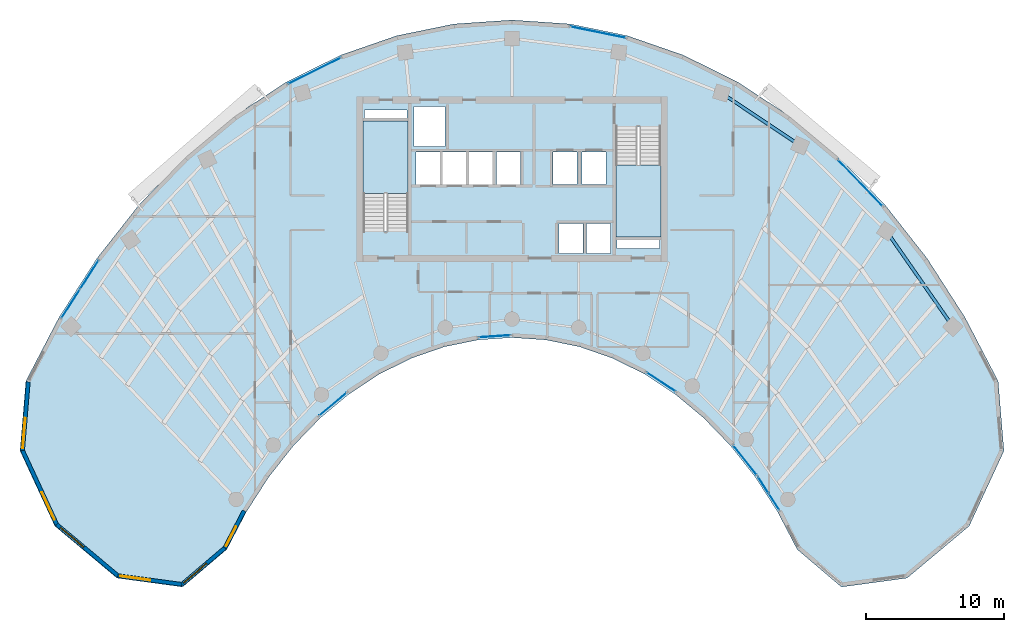
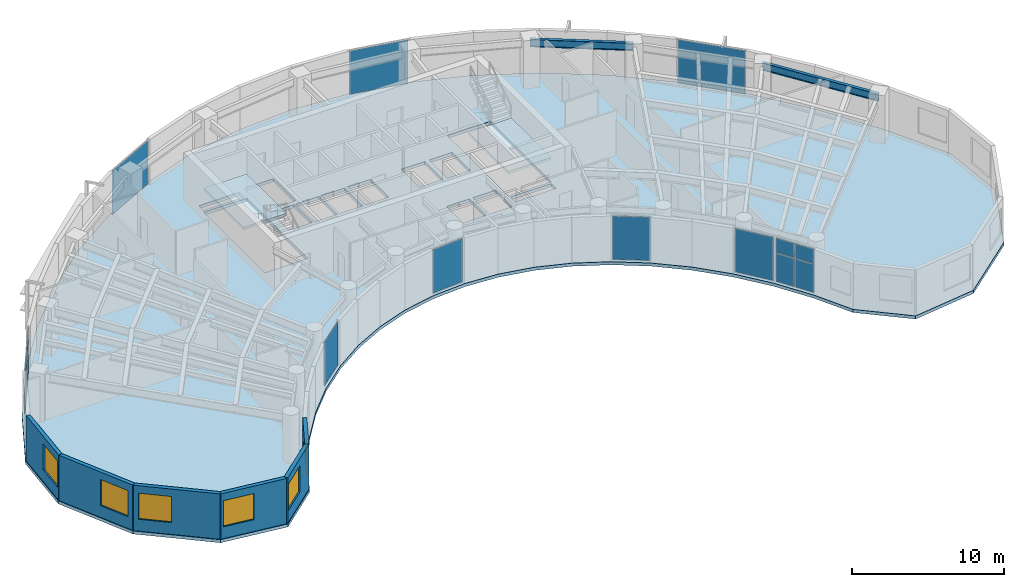
# One storey, part 6 of 12: 15 plates, 6 walls, 6 windows, 3 slabs, 2 beams, 6 openings, 11 elements without a shape of their own.
"""IFC4 building model written with IfcOpenShell, lengths in metres."""

from ifc_helpers import new_model, si_unit, direction, frame, frame_2d, origin, origin_2d, place, context, subcontext, project, spatial, polyline, rectangle, i_section, outline, extrude, source, transform, mapped, material, layer, layer_set, material_profile, profile_set, type_object, type_shapes, element, fill, aggregate, save


model = new_model("IFC4")

# Units and contexts
model_context = context("Model", 3, precision=1e-05, world=origin(), true_north=direction((0.0, 1.0)))
body_context = subcontext(model_context, "Body", "Model", "MODEL_VIEW")
ifc_project = project(units=[si_unit("LENGTHUNIT", "METRE"), si_unit("AREAUNIT", "SQUARE_METRE"), si_unit("VOLUMEUNIT", "CUBIC_METRE"), si_unit("PLANEANGLEUNIT", "RADIAN"), si_unit("MASSUNIT", "GRAM", prefix="KILO")], contexts=[model_context])

# Site, building, storey
site_placement = place(None, origin())
site = spatial("IfcSite", under=ifc_project, at=site_placement, CompositionType="ELEMENT")
building_placement = place(site_placement, origin())
building = spatial("IfcBuilding", under=site, at=building_placement, Name="Breltana Convention Tower", CompositionType="ELEMENT")
storey_placement = place(building_placement, frame((0.0, 0.0, 150.60009765625)))
storey = spatial("IfcBuildingStorey", under=building, at=storey_placement, Name="L36", CompositionType="ELEMENT", Elevation=150.60009765625)

# Beams
ifc_material_1 = material(Name="Steel ASTM A992 Grade 50", Category="steel")
ifc_material_profile = material_profile(ifc_material_1, i_section(OverallWidth=0.22802734375, OverallDepth=0.60791015625, WebThickness=0.01123046875, FlangeThickness=0.017333984375, at=origin_2d()), Name="W24X76")
ifc_profile_set = profile_set([ifc_material_profile], Name="Steel ASTM A992 Grade 50")
beam_type = type_object("IfcBeamType", Name="BM-SP-W24X76", PredefinedType="SPANDREL", material=ifc_profile_set)
shared_shape_1 = source(origin(), body_context, "Body", "SweptSolid", [
    extrude(i_section(OverallWidth=0.22802734375, OverallDepth=0.60791015625, WebThickness=0.01123046875, FlangeThickness=0.017333984375, at=origin_2d()), origin(), (0.0, 0.0, 1.0), 6.856689453125),
])
beam_1_placement = place(storey_placement, frame((63.208984375, 72.4423828125, 3.345947265625), z_axis=(0.83150210718, -0.55552159792, 0.0), x_axis=(0.55552159792, 0.83150210718, 0.0)))
element("IfcBeam", 1, at=beam_1_placement, inside=storey, type_object=beam_type, Name="L36 Outer Spandrel Beam 08", PredefinedType="SPANDREL", context=body_context, shape_type="MappedRepresentation", body=[
    mapped(shared_shape_1, transform((0.0, 0.0, 0.0), scale=1.0)),
])
shared_shape_2 = source(origin(), body_context, "Body", "SweptSolid", [
    extrude(i_section(OverallWidth=0.22802734375, OverallDepth=0.60791015625, WebThickness=0.01123046875, FlangeThickness=0.017333984375, at=origin_2d()), origin(), (0.0, 0.0, 1.0), 8.44970703125),
])
beam_2_placement = place(storey_placement, frame((75.166748046875, 62.43017578125, 3.345947265625), z_axis=(0.5711855381, -0.820820979913, 0.0), x_axis=(0.820820979913, 0.5711855381, 0.0)))
element("IfcBeam", 2, at=beam_2_placement, inside=storey, type_object=beam_type, Name="L36 Outer Spandrel Beam 10", PredefinedType="SPANDREL", context=body_context, shape_type="MappedRepresentation", body=[
    mapped(shared_shape_2, transform((0.0, 0.0, 0.0), scale=1.0)),
])

# Slab
ifc_material_2 = material(Name="Concrete C40/50", Category="concrete")
ifc_layer_1 = layer(ifc_material_2, 0.25, Name="Concrete C40/50")
ifc_layer_set_1 = layer_set([ifc_layer_1], Name="Concrete C40/50")
slab_type_1 = type_object("IfcSlabType", Name="SL-OFF-250", PredefinedType="FLOOR", material=ifc_layer_set_1)
slab_1_placement = place(storey_placement, frame((0.0, 0.0, -0.25)))
element("IfcSlab", 3, at=slab_1_placement, inside=storey, type_object=slab_type_1, Name="L36 Suspended Structural Floor Slab", PredefinedType="FLOOR", context=body_context, shape_type="SweptSolid", body=[
    extrude(outline(polyline([(83.27880859375, 51.539794921875), (80.870361328125, 56.166015625), (78.12548828125, 60.442138671875), (75.072265625, 64.32470703125), (71.74169921875, 67.774169921875), (68.168212890625, 70.7548828125), (64.387939453125, 73.236328125), (60.440185546875, 75.193115234375), (56.36474609375, 76.60546875), (52.203857421875, 77.45849609375), (48.0, 77.743896484375), (43.796142578125, 77.45849609375), (39.63525390625, 76.60546875), (35.559814453125, 75.193115234375), (31.612060546875, 73.236328125), (27.831787109375, 70.7548828125), (24.25830078125, 67.774169921875), (20.927734375, 64.32470703125), (17.87451171875, 60.442138671875), (15.129638671875, 56.166015625), (12.72119140625, 51.539794921875), (12.298095703125, 46.4794921875), (14.822509765625, 41.019287109375), (19.329833984375, 37.2451171875), (24.098876953125, 36.598388671875), (27.3076171875, 39.326171875), (28.72021484375, 42.03955078125), (30.330078125, 44.5478515625), (32.12109375, 46.8251953125), (34.07470703125, 48.848388671875), (36.170654296875, 50.5966796875), (38.3876953125, 52.052001953125), (40.703369140625, 53.19970703125), (43.09375, 54.0283203125), (45.5341796875, 54.528564453125), (48.0, 54.696044921875), (50.4658203125, 54.528564453125), (52.90625, 54.0283203125), (55.296630859375, 53.19970703125), (57.6123046875, 52.052001953125), (59.829345703125, 50.5966796875), (61.92529296875, 48.848388671875), (63.87890625, 46.8251953125), (65.669921875, 44.5478515625), (67.27978515625, 42.03955078125), (68.6923828125, 39.326171875), (71.901123046875, 36.598388671875), (76.670166015625, 37.2451171875), (81.177490234375, 41.019287109375), (83.701904296875, 46.4794921875), (83.27880859375, 51.539794921875)]), holes=[polyline([(37.199951171875, 62.385009765625), (40.469970703125, 62.385009765625), (40.469970703125, 70.39990234375), (37.199951171875, 70.39990234375), (37.199951171875, 62.385009765625)]), polyline([(55.530029296875, 62.0), (58.800048828125, 62.0), (58.800048828125, 70.014892578125), (55.530029296875, 70.014892578125), (55.530029296875, 62.0)]), polyline([(51.39990234375, 60.800048828125), (53.159912109375, 60.800048828125), (53.159912109375, 62.97998046875), (51.39990234375, 62.97998046875), (51.39990234375, 60.800048828125)]), polyline([(53.39990234375, 60.800048828125), (55.159912109375, 60.800048828125), (55.159912109375, 62.97998046875), (53.39990234375, 62.97998046875), (53.39990234375, 60.800048828125)]), polyline([(41.0400390625, 65.820068359375), (42.800048828125, 65.820068359375), (42.800048828125, 68.179931640625), (41.0400390625, 68.179931640625), (41.0400390625, 65.820068359375)]), polyline([(42.93994140625, 65.820068359375), (44.699951171875, 65.820068359375), (44.699951171875, 68.179931640625), (42.93994140625, 68.179931640625), (42.93994140625, 65.820068359375)]), polyline([(44.8701171875, 65.820068359375), (46.6298828125, 65.820068359375), (46.6298828125, 68.179931640625), (44.8701171875, 68.179931640625), (44.8701171875, 65.820068359375)]), polyline([(46.8701171875, 65.820068359375), (48.6298828125, 65.820068359375), (48.6298828125, 68.179931640625), (46.8701171875, 68.179931640625), (46.8701171875, 65.820068359375)]), polyline([(50.969970703125, 65.800048828125), (52.72998046875, 65.800048828125), (52.72998046875, 68.179931640625), (50.969970703125, 68.179931640625), (50.969970703125, 65.800048828125)]), polyline([(53.070068359375, 65.800048828125), (54.830078125, 65.800048828125), (54.830078125, 68.179931640625), (53.070068359375, 68.179931640625), (53.070068359375, 65.800048828125)]), polyline([(40.8798828125, 68.550048828125), (43.1201171875, 68.550048828125), (43.1201171875, 71.449951171875), (40.8798828125, 71.449951171875), (40.8798828125, 68.550048828125)]), polyline([(37.300048828125, 70.60009765625), (40.3798828125, 70.60009765625), (40.3798828125, 71.219970703125), (37.300048828125, 71.219970703125), (37.300048828125, 70.60009765625)]), polyline([(55.6201171875, 61.179931640625), (58.699951171875, 61.179931640625), (58.699951171875, 61.800048828125), (55.6201171875, 61.800048828125), (55.6201171875, 61.179931640625)])]), origin(), (0.0, 0.0, 1.0), 0.25),
])

# Stair, slab
stair_type = type_object("IfcStairType", Name="ST-DOG-1560-R177", PredefinedType="HALF_TURN_STAIR", material=ifc_material_2)
stair_1_placement = place(storey_placement, origin())
stair_1 = element("IfcStair", 4, at=stair_1_placement, inside=storey, type_object=stair_type, Name="L36 Protected Core Exit Stair ST-1", PredefinedType="HALF_TURN_STAIR")
ifc_layer_2 = layer(ifc_material_2, 0.199951171875, Name="Concrete C40/50")
ifc_layer_set_2 = layer_set([ifc_layer_2], Name="Concrete C40/50")
slab_type_2 = type_object("IfcSlabType", Name="SL-STAIR-LANDING-200", PredefinedType="LANDING", material=ifc_layer_set_2)
slab_2_placement = place(storey_placement, frame((0.0, 0.0, 1.75)))
slab_2 = element("IfcSlab", 5, at=slab_2_placement, type_object=slab_type_2, Name="ST-1 landing 1", PredefinedType="LANDING", context=body_context, shape_type="SweptSolid", body=[
    extrude(outline(polyline([(40.469970703125, 65.159912109375), (40.469970703125, 70.39990234375), (37.199951171875, 70.39990234375), (37.199951171875, 65.159912109375), (40.469970703125, 65.159912109375)])), origin(), (0.0, 0.0, 1.0), 0.199951171875),
])
aggregate(stair_1, [slab_2])

stair_2_placement = place(storey_placement, origin())
stair_2 = element("IfcStair", 6, at=stair_2_placement, inside=storey, type_object=stair_type, Name="L36 Protected Core Exit Stair ST-2", PredefinedType="HALF_TURN_STAIR")
slab_3_placement = place(storey_placement, frame((0.0, 0.0, 1.75)))
slab_3 = element("IfcSlab", 7, at=slab_3_placement, type_object=slab_type_2, Name="ST-2 landing 1", PredefinedType="LANDING", context=body_context, shape_type="SweptSolid", body=[
    extrude(outline(polyline([(55.530029296875, 67.239990234375), (55.530029296875, 62.0), (58.800048828125, 62.0), (58.800048828125, 67.239990234375), (55.530029296875, 67.239990234375)])), origin(), (0.0, 0.0, 1.0), 0.199951171875),
])
aggregate(stair_2, [slab_3])

# Curtain wall, plates
ifc_material_3 = material(Name="Aluminium Anodised Bronze Frame", Category="aluminium")
ifc_layer_3 = layer(ifc_material_3, 0.18994140625, Name="Aluminium Anodised Bronze Frame")
ifc_layer_set_3 = layer_set([ifc_layer_3], Name="Aluminium Anodised Bronze Frame")
curtain_wall_type_1 = type_object("IfcCurtainWallType", Name="CW-SYS-1", PredefinedType="NOTDEFINED", material=ifc_layer_set_3)
curtain_wall_1_placement = place(storey_placement, origin())
curtain_wall_1 = element("IfcCurtainWall", 8, at=curtain_wall_1_placement, inside=storey, type_object=curtain_wall_type_1, Name="L36 inner south-court glazing 1", PredefinedType="NOTDEFINED")
ifc_material_4 = material(Name="Glass Low-E Double Glazing", Category="glass")
ifc_layer_4 = layer(ifc_material_4, 0.028076171875, Name="Glass Low-E Double Glazing")
ifc_layer_set_4 = layer_set([ifc_layer_4], Name="Glass Low-E Double Glazing")
plate_type = type_object("IfcPlateType", Name="CWP-IGU-28", PredefinedType="CURTAIN_PANEL", material=ifc_layer_set_4)
shared_shape_3 = source(origin(), body_context, "Body", "SweptSolid", [
    extrude(rectangle(XDim=1.3701171875, YDim=0.028076171875, at=origin_2d()), origin(), (0.0, 0.0, 1.0), 2.25244140625),
])
plate_1_placement = place(storey_placement, frame((67.01806640625, 42.78076171875, 0.079833984375), z_axis=(0.0, 0.0, 1.0), x_axis=(-0.540184298954, 0.841546744491, 0.0)))
plate_1 = element("IfcPlate", 9, at=plate_1_placement, type_object=plate_type, Name="CW-01 panel 1.1", PredefinedType="CURTAIN_PANEL", context=body_context, shape_type="MappedRepresentation", body=[
    mapped(shared_shape_3, transform((0.0, 0.0, 0.0), scale=1.0)),
])
plate_2_placement = place(storey_placement, frame((66.234619140625, 44.001220703125, 0.079833984375), z_axis=(0.0, 0.0, 1.0), x_axis=(-0.540184298954, 0.841546744491, 0.0)))
plate_2 = element("IfcPlate", 10, at=plate_2_placement, type_object=plate_type, Name="CW-01 panel 2.1", PredefinedType="CURTAIN_PANEL", context=body_context, shape_type="MappedRepresentation", body=[
    mapped(shared_shape_3, transform((0.0, 0.0, 0.0), scale=1.0)),
])
shared_shape_4 = source(origin(), body_context, "Body", "SweptSolid", [
    extrude(rectangle(XDim=1.3701171875, YDim=0.028076171875, at=origin_2d()), origin(), (0.0, 0.0, 1.0), 1.157470703125),
])
plate_3_placement = place(storey_placement, frame((67.01806640625, 42.78076171875, 2.41259765625), z_axis=(0.0, 0.0, 1.0), x_axis=(-0.540184298954, 0.841546744491, 0.0)))
plate_3 = element("IfcPlate", 11, at=plate_3_placement, type_object=plate_type, Name="CW-01 panel 1.2", PredefinedType="CURTAIN_PANEL", context=body_context, shape_type="MappedRepresentation", body=[
    mapped(shared_shape_4, transform((0.0, 0.0, 0.0), scale=1.0)),
])
plate_4_placement = place(storey_placement, frame((66.234619140625, 44.001220703125, 2.41259765625), z_axis=(0.0, 0.0, 1.0), x_axis=(-0.540184298954, 0.841546744491, 0.0)))
plate_4 = element("IfcPlate", 12, at=plate_4_placement, type_object=plate_type, Name="CW-01 panel 2.2", PredefinedType="CURTAIN_PANEL", context=body_context, shape_type="MappedRepresentation", body=[
    mapped(shared_shape_4, transform((0.0, 0.0, 0.0), scale=1.0)),
])
aggregate(curtain_wall_1, [plate_1, plate_3, plate_2, plate_4])

# Curtain wall, plate
curtain_wall_2_placement = place(storey_placement, origin())
curtain_wall_2 = element("IfcCurtainWall", 13, at=curtain_wall_2_placement, inside=storey, type_object=curtain_wall_type_1, Name="L36 inner south-court glazing 2", PredefinedType="NOTDEFINED")
shared_shape_5 = source(origin(), body_context, "Body", "SweptSolid", [
    extrude(rectangle(XDim=2.737060546875, YDim=0.028076171875, at=origin_2d()), origin(), (0.0, 0.0, 1.0), 3.489990234375),
])
plate_5_placement = place(storey_placement, frame((64.915771484375, 45.7978515625, 0.080078125), z_axis=(0.0, 0.0, 1.0), x_axis=(-0.618161435717, 0.786051168431, 0.0)))
plate_5 = element("IfcPlate", 14, at=plate_5_placement, type_object=plate_type, Name="CW-01 panel 1.1", PredefinedType="CURTAIN_PANEL", context=body_context, shape_type="MappedRepresentation", body=[
    mapped(shared_shape_5, transform((0.0, 0.0, 0.0), scale=1.0)),
])
aggregate(curtain_wall_2, [plate_5])

curtain_wall_3_placement = place(storey_placement, origin())
curtain_wall_3 = element("IfcCurtainWall", 15, at=curtain_wall_3_placement, inside=storey, type_object=curtain_wall_type_1, Name="L36 inner south-court glazing 3", PredefinedType="NOTDEFINED")
shared_shape_6 = source(origin(), body_context, "Body", "SweptSolid", [
    extrude(rectangle(XDim=2.4921875, YDim=0.028076171875, at=origin_2d()), origin(), (0.0, 0.0, 1.0), 3.489990234375),
])
plate_6_placement = place(storey_placement, frame((58.819580078125, 51.474853515625, 0.080078125), z_axis=(0.0, 0.0, 1.0), x_axis=(-0.835985210307, 0.548751973252, 0.0)))
plate_6 = element("IfcPlate", 16, at=plate_6_placement, type_object=plate_type, Name="CW-01 panel 1.1", PredefinedType="CURTAIN_PANEL", context=body_context, shape_type="MappedRepresentation", body=[
    mapped(shared_shape_6, transform((0.0, 0.0, 0.0), scale=1.0)),
])
aggregate(curtain_wall_3, [plate_6])

curtain_wall_4_placement = place(storey_placement, origin())
curtain_wall_4 = element("IfcCurtainWall", 17, at=curtain_wall_4_placement, inside=storey, type_object=curtain_wall_type_1, Name="L36 inner south-court glazing 4", PredefinedType="NOTDEFINED")
shared_shape_7 = source(origin(), body_context, "Body", "SweptSolid", [
    extrude(rectangle(XDim=2.3115234375, YDim=0.028076171875, at=origin_2d()), origin(), (0.0, 0.0, 1.0), 3.489990234375),
])
plate_7_placement = place(storey_placement, frame((46.7548828125, 54.7919921875, 0.080078125), z_axis=(0.0, 0.0, 1.0), x_axis=(-0.997703496195, -0.067732810965, 0.0)))
plate_7 = element("IfcPlate", 18, at=plate_7_placement, type_object=plate_type, Name="CW-01 panel 1.1", PredefinedType="CURTAIN_PANEL", context=body_context, shape_type="MappedRepresentation", body=[
    mapped(shared_shape_7, transform((0.0, 0.0, 0.0), scale=1.0)),
])
aggregate(curtain_wall_4, [plate_7])

curtain_wall_5_placement = place(storey_placement, origin())
curtain_wall_5 = element("IfcCurtainWall", 19, at=curtain_wall_5_placement, inside=storey, type_object=curtain_wall_type_1, Name="L36 inner south-court glazing 5", PredefinedType="NOTDEFINED")
shared_shape_8 = source(origin(), body_context, "Body", "SweptSolid", [
    extrude(rectangle(XDim=2.5693359375, YDim=0.028076171875, at=origin_2d()), origin(), (0.0, 0.0, 1.0), 3.489990234375),
])
plate_8_placement = place(storey_placement, frame((35.00732421875, 49.860595703125, 0.080078125), z_axis=(0.0, 0.0, 1.0), x_axis=(-0.767926895316, -0.640537495741, 0.0)))
plate_8 = element("IfcPlate", 20, at=plate_8_placement, type_object=plate_type, Name="CW-01 panel 1.1", PredefinedType="CURTAIN_PANEL", context=body_context, shape_type="MappedRepresentation", body=[
    mapped(shared_shape_8, transform((0.0, 0.0, 0.0), scale=1.0)),
])
aggregate(curtain_wall_5, [plate_8])

# Curtain wall, plates
ifc_layer_5 = layer(ifc_material_3, 0.2099609375, Name="Aluminium Anodised Bronze Frame")
ifc_layer_set_5 = layer_set([ifc_layer_5], Name="Aluminium Anodised Bronze Frame")
curtain_wall_type_2 = type_object("IfcCurtainWallType", Name="CW-SYS-3", PredefinedType="NOTDEFINED", material=ifc_layer_set_5)
curtain_wall_6_placement = place(storey_placement, origin())
curtain_wall_6 = element("IfcCurtainWall", 21, at=curtain_wall_6_placement, inside=storey, type_object=curtain_wall_type_2, Name="L36 outer double-skin inner glazing 1", PredefinedType="NOTDEFINED")
shared_shape_9 = source(origin(), body_context, "Body", "SweptSolid", [
    extrude(rectangle(XDim=2.42724609375, YDim=0.028076171875, at=origin_2d()), origin(), (0.0, 0.0, 1.0), 2.25244140625),
])
plate_9_placement = place(storey_placement, frame((15.97900390625, 57.15576171875, 0.079833984375), z_axis=(0.0, 0.0, 1.0), x_axis=(0.54017267843, 0.841554203529, 0.0)))
plate_9 = element("IfcPlate", 22, at=plate_9_placement, type_object=plate_type, Name="CW-03 panel 1.1", PredefinedType="CURTAIN_PANEL", context=body_context, shape_type="MappedRepresentation", body=[
    mapped(shared_shape_9, transform((0.0, 0.0, 0.0), scale=1.0)),
])
plate_10_placement = place(storey_placement, frame((17.327880859375, 59.25732421875, 0.079833984375), z_axis=(0.0, 0.0, 1.0), x_axis=(0.54017267843, 0.841554203529, 0.0)))
plate_10 = element("IfcPlate", 23, at=plate_10_placement, type_object=plate_type, Name="CW-03 panel 2.1", PredefinedType="CURTAIN_PANEL", context=body_context, shape_type="MappedRepresentation", body=[
    mapped(shared_shape_9, transform((0.0, 0.0, 0.0), scale=1.0)),
])
shared_shape_10 = source(origin(), body_context, "Body", "SweptSolid", [
    extrude(rectangle(XDim=2.42724609375, YDim=0.028076171875, at=origin_2d()), origin(), (0.0, 0.0, 1.0), 1.157470703125),
])
plate_11_placement = place(storey_placement, frame((15.97900390625, 57.15576171875, 2.41259765625), z_axis=(0.0, 0.0, 1.0), x_axis=(0.54017267843, 0.841554203529, 0.0)))
plate_11 = element("IfcPlate", 24, at=plate_11_placement, type_object=plate_type, Name="CW-03 panel 1.2", PredefinedType="CURTAIN_PANEL", context=body_context, shape_type="MappedRepresentation", body=[
    mapped(shared_shape_10, transform((0.0, 0.0, 0.0), scale=1.0)),
])
plate_12_placement = place(storey_placement, frame((17.327880859375, 59.25732421875, 2.41259765625), z_axis=(0.0, 0.0, 1.0), x_axis=(0.54017267843, 0.841554203529, 0.0)))
plate_12 = element("IfcPlate", 25, at=plate_12_placement, type_object=plate_type, Name="CW-03 panel 2.2", PredefinedType="CURTAIN_PANEL", context=body_context, shape_type="MappedRepresentation", body=[
    mapped(shared_shape_10, transform((0.0, 0.0, 0.0), scale=1.0)),
])
aggregate(curtain_wall_6, [plate_9, plate_11, plate_10, plate_12])

# Curtain wall, plate
curtain_wall_7_placement = place(storey_placement, origin())
curtain_wall_7 = element("IfcCurtainWall", 26, at=curtain_wall_7_placement, inside=storey, type_object=curtain_wall_type_2, Name="L36 outer double-skin inner glazing 2", PredefinedType="NOTDEFINED")
shared_shape_11 = source(origin(), body_context, "Body", "SweptSolid", [
    extrude(rectangle(XDim=4.243896484375, YDim=0.028076171875, at=origin_2d()), origin(), (0.0, 0.0, 1.0), 3.489990234375),
])
plate_13_placement = place(storey_placement, frame((33.665771484375, 74.053466796875, 0.080078125), z_axis=(0.0, 0.0, 1.0), x_axis=(0.895968385619, 0.444117835682, 0.0)))
plate_13 = element("IfcPlate", 27, at=plate_13_placement, type_object=plate_type, Name="CW-03 panel 1.1", PredefinedType="CURTAIN_PANEL", context=body_context, shape_type="MappedRepresentation", body=[
    mapped(shared_shape_11, transform((0.0, 0.0, 0.0), scale=1.0)),
])
aggregate(curtain_wall_7, [plate_13])

curtain_wall_8_placement = place(storey_placement, origin())
curtain_wall_8 = element("IfcCurtainWall", 28, at=curtain_wall_8_placement, inside=storey, type_object=curtain_wall_type_2, Name="L36 outer double-skin inner glazing 3", PredefinedType="NOTDEFINED")
shared_shape_12 = source(origin(), body_context, "Body", "SweptSolid", [
    extrude(rectangle(XDim=4.08349609375, YDim=0.028076171875, at=origin_2d()), origin(), (0.0, 0.0, 1.0), 3.489990234375),
])
plate_14_placement = place(storey_placement, frame((54.248291015625, 76.855712890625, 0.080078125), z_axis=(0.0, 0.0, 1.0), x_axis=(0.979616560993, -0.200876562668, 0.0)))
plate_14 = element("IfcPlate", 29, at=plate_14_placement, type_object=plate_type, Name="CW-03 panel 1.1", PredefinedType="CURTAIN_PANEL", context=body_context, shape_type="MappedRepresentation", body=[
    mapped(shared_shape_12, transform((0.0, 0.0, 0.0), scale=1.0)),
])
aggregate(curtain_wall_8, [plate_14])

curtain_wall_9_placement = place(storey_placement, origin())
curtain_wall_9 = element("IfcCurtainWall", 30, at=curtain_wall_9_placement, inside=storey, type_object=curtain_wall_type_2, Name="L36 outer double-skin inner glazing 4", PredefinedType="NOTDEFINED")
shared_shape_13 = source(origin(), body_context, "Body", "SweptSolid", [
    extrude(rectangle(XDim=4.635986328125, YDim=0.028076171875, at=origin_2d()), origin(), (0.0, 0.0, 1.0), 3.489990234375),
])
plate_15_placement = place(storey_placement, frame((73.277587890625, 65.92431640625, 0.080078125), z_axis=(0.0, 0.0, 1.0), x_axis=(0.694602734297, -0.719393523398, 0.0)))
plate_15 = element("IfcPlate", 31, at=plate_15_placement, type_object=plate_type, Name="CW-03 panel 1.1", PredefinedType="CURTAIN_PANEL", context=body_context, shape_type="MappedRepresentation", body=[
    mapped(shared_shape_13, transform((0.0, 0.0, 0.0), scale=1.0)),
])
aggregate(curtain_wall_9, [plate_15])

# Wall, opening, window
ifc_material_5 = material(Name="Limestone Buff Insulated Wall", Category="masonry")
ifc_layer_6 = layer(ifc_material_5, 0.280029296875, Name="Limestone Buff Insulated Wall")
ifc_layer_set_6 = layer_set([ifc_layer_6], Name="Limestone Buff Insulated Wall")
wall_type = type_object("IfcWallType", Name="WL-EXT-NOSE-280", PredefinedType="SOLIDWALL", material=ifc_layer_set_6)
shared_shape_14 = source(origin(), body_context, "Body", "SweptSolid", [
    extrude(rectangle(XDim=4.994384765625, YDim=0.280029296875, at=frame_2d((2.4970703125, 0.0))), origin(), (0.0, 0.0, 1.0), 3.64990234375),
])
wall_1_placement = place(storey_placement, frame((12.4814453125, 46.51171875, 0.0), z_axis=(0.0, 0.0, 1.0), x_axis=(0.083344839916, 0.996520766296, 0.0)))
wall_1 = element("IfcWall", 32, at=wall_1_placement, inside=storey, type_object=wall_type, Name="L36 curved limestone nose wall W6", PredefinedType="SOLIDWALL", context=body_context, shape_type="MappedRepresentation", body=[
    mapped(shared_shape_14, transform((0.0, 0.0, 0.0), scale=1.0)),
])
opening_1_placement = place(wall_1_placement, frame((0.159912109375, 0.0, 0.949951171875)))
opening_1 = element("IfcOpeningElement", 33, at=opening_1_placement, cuts=wall_1, Name="Opening W-03", PredefinedType="OPENING", context=body_context, shape_type="SweptSolid", body=[
    extrude(rectangle(XDim=2.199951171875, YDim=2.10009765625, at=frame_2d((1.10009765625, 1.050048828125))), frame((0.0, 0.14990234375, 0.0), z_axis=(0.0, -1.0, 0.0), x_axis=(1.0, 0.0, 0.0)), (0.0, 0.0, 1.0), 0.300048828125),
])
ifc_material_6 = material(Name="Glass Low-E Insulated Window", Category="glass")
window_type_1 = type_object("IfcWindowType", Name="WN-NOSE-2200X2100", PartitioningType="TRIPLE_PANEL_VERTICAL", PredefinedType="WINDOW", material=ifc_material_6)
shared_shape_15 = source(origin(), body_context, "Body", "SweptSolid", [
    extrude(rectangle(XDim=2.199951171875, YDim=2.10009765625, at=frame_2d((1.10009765625, 1.050048828125))), frame((0.0, 0.030029296875, 0.0), z_axis=(0.0, -1.0, 0.0), x_axis=(1.0, 0.0, 0.0)), (0.0, 0.0, 1.0), 0.06005859375),
])
type_shapes(window_type_1, [shared_shape_15])
window_1_placement = place(opening_1_placement, origin())
window_1 = element("IfcWindow", 34, at=window_1_placement, inside=storey, type_object=window_type_1, Name="L36 nose window W6", OverallHeight=2.10009765625, OverallWidth=2.199951171875, PartitioningType="TRIPLE_PANEL_VERTICAL", PredefinedType="WINDOW", context=body_context, shape_type="MappedRepresentation", body=[
    mapped(shared_shape_15, transform((0.0, 0.0, 0.0), scale=1.0)),
])
fill(opening_1, window_1)

shared_shape_16 = source(origin(), body_context, "Body", "SweptSolid", [
    extrude(rectangle(XDim=5.927490234375, YDim=0.280029296875, at=frame_2d((2.9638671875, 0.0))), origin(), (0.0, 0.0, 1.0), 3.64990234375),
])
wall_2_placement = place(storey_placement, frame((14.968994140625, 41.13134765625, 0.0), z_axis=(0.0, 0.0, 1.0), x_axis=(-0.419656204795, 0.907683132914, 0.0)))
wall_2 = element("IfcWall", 35, at=wall_2_placement, inside=storey, type_object=wall_type, Name="L36 curved limestone nose wall W5", PredefinedType="SOLIDWALL", context=body_context, shape_type="MappedRepresentation", body=[
    mapped(shared_shape_16, transform((0.0, 0.0, 0.0), scale=1.0)),
])
opening_2_placement = place(wall_2_placement, frame((0.3818359375, 0.0, 0.949951171875)))
opening_2 = element("IfcOpeningElement", 36, at=opening_2_placement, cuts=wall_2, Name="Opening W-03", PredefinedType="OPENING", context=body_context, shape_type="SweptSolid", body=[
    extrude(rectangle(XDim=2.199951171875, YDim=2.10009765625, at=frame_2d((1.10009765625, 1.050048828125))), frame((0.0, 0.14990234375, 0.0), z_axis=(0.0, -1.0, 0.0), x_axis=(1.0, 0.0, 0.0)), (0.0, 0.0, 1.0), 0.300048828125),
])
window_2_placement = place(opening_2_placement, origin())
window_2 = element("IfcWindow", 37, at=window_2_placement, inside=storey, type_object=window_type_1, Name="L36 nose window W5", OverallHeight=2.10009765625, OverallWidth=2.199951171875, PartitioningType="TRIPLE_PANEL_VERTICAL", PredefinedType="WINDOW", context=body_context, shape_type="MappedRepresentation", body=[
    mapped(shared_shape_15, transform((0.0, 0.0, 0.0), scale=1.0)),
])
fill(opening_2, window_2)

shared_shape_17 = source(origin(), body_context, "Body", "SweptSolid", [
    extrude(rectangle(XDim=5.786376953125, YDim=0.280029296875, at=frame_2d((2.89306640625, 0.0))), origin(), (0.0, 0.0, 1.0), 3.64990234375),
])
wall_3_placement = place(storey_placement, frame((19.405517578125, 37.41650390625, 0.0), z_axis=(0.0, 0.0, 1.0), x_axis=(-0.766711306852, 0.641992034176, 0.0)))
wall_3 = element("IfcWall", 38, at=wall_3_placement, inside=storey, type_object=wall_type, Name="L36 curved limestone nose wall W4", PredefinedType="SOLIDWALL", context=body_context, shape_type="MappedRepresentation", body=[
    mapped(shared_shape_17, transform((0.0, 0.0, 0.0), scale=1.0)),
])
opening_3_placement = place(wall_3_placement, frame((3.239990234375, 0.0, 0.949951171875)))
opening_3 = element("IfcOpeningElement", 39, at=opening_3_placement, cuts=wall_3, Name="Opening W-03", PredefinedType="OPENING", context=body_context, shape_type="SweptSolid", body=[
    extrude(rectangle(XDim=2.199951171875, YDim=2.10009765625, at=frame_2d((1.10009765625, 1.050048828125))), frame((0.0, 0.14990234375, 0.0), z_axis=(0.0, -1.0, 0.0), x_axis=(1.0, 0.0, 0.0)), (0.0, 0.0, 1.0), 0.300048828125),
])
window_3_placement = place(opening_3_placement, origin())
window_3 = element("IfcWindow", 40, at=window_3_placement, inside=storey, type_object=window_type_1, Name="L36 nose window W4", OverallHeight=2.10009765625, OverallWidth=2.199951171875, PartitioningType="TRIPLE_PANEL_VERTICAL", PredefinedType="WINDOW", context=body_context, shape_type="MappedRepresentation", body=[
    mapped(shared_shape_15, transform((0.0, 0.0, 0.0), scale=1.0)),
])
fill(opening_3, window_3)

shared_shape_18 = source(origin(), body_context, "Body", "SweptSolid", [
    extrude(rectangle(XDim=4.680419921875, YDim=0.280029296875, at=frame_2d((2.34033203125, 0.0))), origin(), (0.0, 0.0, 1.0), 3.64990234375),
])
wall_4_placement = place(storey_placement, frame((24.04345703125, 36.78759765625, 0.0), z_axis=(0.0, 0.0, 1.0), x_axis=(-0.990931146435, 0.134370618162, 0.0)))
wall_4 = element("IfcWall", 41, at=wall_4_placement, inside=storey, type_object=wall_type, Name="L36 curved limestone nose wall W3", PredefinedType="SOLIDWALL", context=body_context, shape_type="MappedRepresentation", body=[
    mapped(shared_shape_18, transform((0.0, 0.0, 0.0), scale=1.0)),
])
opening_4_placement = place(wall_4_placement, frame((2.3203125, 0.0, 0.949951171875)))
opening_4 = element("IfcOpeningElement", 42, at=opening_4_placement, cuts=wall_4, Name="Opening W-03", PredefinedType="OPENING", context=body_context, shape_type="SweptSolid", body=[
    extrude(rectangle(XDim=2.199951171875, YDim=2.10009765625, at=frame_2d((1.10009765625, 1.050048828125))), frame((0.0, 0.14990234375, 0.0), z_axis=(0.0, -1.0, 0.0), x_axis=(1.0, 0.0, 0.0)), (0.0, 0.0, 1.0), 0.300048828125),
])
window_4_placement = place(opening_4_placement, origin())
window_4 = element("IfcWindow", 43, at=window_4_placement, inside=storey, type_object=window_type_1, Name="L36 nose window W3", OverallHeight=2.10009765625, OverallWidth=2.199951171875, PartitioningType="TRIPLE_PANEL_VERTICAL", PredefinedType="WINDOW", context=body_context, shape_type="MappedRepresentation", body=[
    mapped(shared_shape_15, transform((0.0, 0.0, 0.0), scale=1.0)),
])
fill(opening_4, window_4)

shared_shape_19 = source(origin(), body_context, "Body", "SweptSolid", [
    extrude(rectangle(XDim=4.095947265625, YDim=0.280029296875, at=frame_2d((2.0478515625, 0.0))), origin(), (0.0, 0.0, 1.0), 3.64990234375),
])
wall_5_placement = place(storey_placement, frame((27.164306640625, 39.4404296875, 0.0), z_axis=(0.0, 0.0, 1.0), x_axis=(-0.761926081737, -0.647663991564, 0.0)))
wall_5 = element("IfcWall", 44, at=wall_5_placement, inside=storey, type_object=wall_type, Name="L36 curved limestone nose wall W2", PredefinedType="SOLIDWALL", context=body_context, shape_type="MappedRepresentation", body=[
    mapped(shared_shape_19, transform((0.0, 0.0, 0.0), scale=1.0)),
])
opening_5_placement = place(wall_5_placement, frame((1.736083984375, 0.0, 0.949951171875)))
opening_5 = element("IfcOpeningElement", 45, at=opening_5_placement, cuts=wall_5, Name="Opening W-03", PredefinedType="OPENING", context=body_context, shape_type="SweptSolid", body=[
    extrude(rectangle(XDim=2.199951171875, YDim=2.10009765625, at=frame_2d((1.10009765625, 1.050048828125))), frame((0.0, 0.14990234375, 0.0), z_axis=(0.0, -1.0, 0.0), x_axis=(1.0, 0.0, 0.0)), (0.0, 0.0, 1.0), 0.300048828125),
])
window_5_placement = place(opening_5_placement, origin())
window_5 = element("IfcWindow", 46, at=window_5_placement, inside=storey, type_object=window_type_1, Name="L36 nose window W2", OverallHeight=2.10009765625, OverallWidth=2.199951171875, PartitioningType="TRIPLE_PANEL_VERTICAL", PredefinedType="WINDOW", context=body_context, shape_type="MappedRepresentation", body=[
    mapped(shared_shape_15, transform((0.0, 0.0, 0.0), scale=1.0)),
])
fill(opening_5, window_5)

shared_shape_20 = source(origin(), body_context, "Body", "SweptSolid", [
    extrude(rectangle(XDim=3.02392578125, YDim=0.280029296875, at=frame_2d((1.511962890625, 0.0))), origin(), (0.0, 0.0, 1.0), 3.64990234375),
])
wall_6_placement = place(storey_placement, frame((28.560546875, 42.122802734375, 0.0), z_axis=(0.0, 0.0, 1.0), x_axis=(-0.461718746531, -0.887026380161, 0.0)))
wall_6 = element("IfcWall", 47, at=wall_6_placement, inside=storey, type_object=wall_type, Name="L36 curved limestone nose wall W1", PredefinedType="SOLIDWALL", context=body_context, shape_type="MappedRepresentation", body=[
    mapped(shared_shape_20, transform((0.0, 0.0, 0.0), scale=1.0)),
])
opening_6_placement = place(wall_6_placement, frame((1.263916015625, 0.0, 0.949951171875)))
opening_6 = element("IfcOpeningElement", 48, at=opening_6_placement, cuts=wall_6, Name="Opening W-04", PredefinedType="OPENING", context=body_context, shape_type="SweptSolid", body=[
    extrude(rectangle(XDim=1.60009765625, YDim=1.89990234375, at=frame_2d((0.800048828125, 0.949951171875))), frame((0.0, 0.14990234375, 0.0), z_axis=(0.0, -1.0, 0.0), x_axis=(1.0, 0.0, 0.0)), (0.0, 0.0, 1.0), 0.300048828125),
])
window_type_2 = type_object("IfcWindowType", Name="WN-NOSE-1600X1900", PartitioningType="SINGLE_PANEL", PredefinedType="WINDOW", material=ifc_material_6)
shared_shape_21 = source(origin(), body_context, "Body", "SweptSolid", [
    extrude(rectangle(XDim=1.60009765625, YDim=1.89990234375, at=frame_2d((0.800048828125, 0.949951171875))), frame((0.0, 0.030029296875, 0.0), z_axis=(0.0, -1.0, 0.0), x_axis=(1.0, 0.0, 0.0)), (0.0, 0.0, 1.0), 0.06005859375),
])
type_shapes(window_type_2, [shared_shape_21])
window_6_placement = place(opening_6_placement, origin())
window_6 = element("IfcWindow", 49, at=window_6_placement, inside=storey, type_object=window_type_2, Name="L36 nose window W1", OverallHeight=1.89990234375, OverallWidth=1.60009765625, PartitioningType="SINGLE_PANEL", PredefinedType="WINDOW", context=body_context, shape_type="MappedRepresentation", body=[
    mapped(shared_shape_21, transform((0.0, 0.0, 0.0), scale=1.0)),
])
fill(opening_6, window_6)

save(model, "model.ifc")
